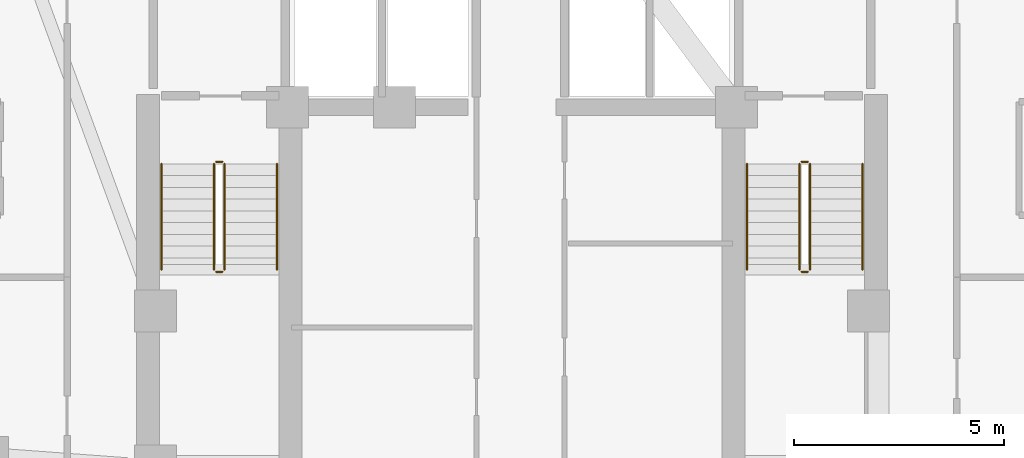
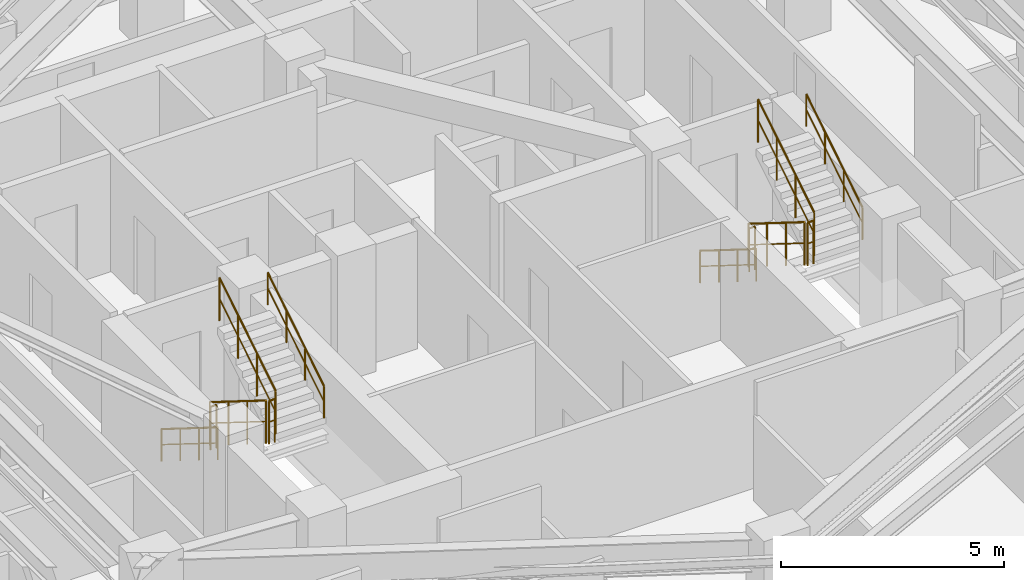
# One storey, part 11 of 11: 12 railings.
"""IFC4 building model written with IfcOpenShell, lengths in metres."""

from ifc_helpers import new_model, si_unit, direction, frame, origin, origin_2d, place, context, subcontext, project, spatial, circle, extrude, material, type_object, element, save


model = new_model("IFC4")

# Units and contexts
model_context = context("Model", 3, precision=1e-05, world=origin(), true_north=direction((0.0, 1.0)))
body_context = subcontext(model_context, "Body", "Model", "MODEL_VIEW")
ifc_project = project(units=[si_unit("LENGTHUNIT", "METRE"), si_unit("AREAUNIT", "SQUARE_METRE"), si_unit("VOLUMEUNIT", "CUBIC_METRE"), si_unit("PLANEANGLEUNIT", "RADIAN"), si_unit("MASSUNIT", "GRAM", prefix="KILO")], contexts=[model_context])

# Site, building, storey
site_placement = place(None, origin())
site = spatial("IfcSite", under=ifc_project, at=site_placement, CompositionType="ELEMENT")
building_placement = place(site_placement, origin())
building = spatial("IfcBuilding", under=site, at=building_placement, Name="Miruveldt Soraemaru", CompositionType="ELEMENT")
storey_placement = place(building_placement, frame((0.0, 0.0, 152.89990234375)))
storey = spatial("IfcBuildingStorey", under=building, at=storey_placement, Name="L42", CompositionType="ELEMENT", Elevation=152.89990234375)

# Railings
ifc_material = material(Name="Steel S355 (355 MPa)", Category="steel")
railing_type_1 = type_object("IfcRailingType", Name="RAIL-HR-900", PredefinedType="HANDRAIL", material=ifc_material)
railing_1_placement = place(storey_placement, frame((35.64990234375, 42.699951171875, 0.175048828125)))
element("IfcRailing", 1, at=railing_1_placement, inside=storey, type_object=railing_type_1, Name="L42 ST-1 stair handrail 1", PredefinedType="HANDRAIL", context=body_context, shape_type="SweptSolid", body=[
    extrude(circle(Radius=0.02392578125, at=origin_2d()), frame((0.0, 0.0, 0.8759765625), z_axis=(0.0, -0.848007534815, 0.529984170421), x_axis=(1.0, 0.0, 0.0)), (0.0, 0.0, 1.0), 2.9716796875),
    extrude(circle(Radius=0.01611328125, at=origin_2d()), frame((0.0, 0.0, 0.449951171875), z_axis=(0.0, -0.848007534815, 0.529984170421), x_axis=(1.0, 0.0, 0.0)), (0.0, 0.0, 1.0), 2.9716796875),
    extrude(circle(Radius=0.02099609375, at=origin_2d()), origin(), (0.0, 0.0, 1.0), 0.851806640625),
    extrude(circle(Radius=0.02099609375, at=origin_2d()), frame((0.0, -0.840087890625, 0.52490234375)), (0.0, 0.0, 1.0), 0.851806640625),
    extrude(circle(Radius=0.02099609375, at=origin_2d()), frame((0.0, -1.679931640625, 1.050048828125)), (0.0, 0.0, 1.0), 0.851806640625),
    extrude(circle(Radius=0.02099609375, at=origin_2d()), frame((0.0, -2.52001953125, 1.574951171875)), (0.0, 0.0, 1.0), 0.851806640625),
])
railing_2_placement = place(storey_placement, frame((38.39990234375, 40.179931640625, 1.925048828125)))
element("IfcRailing", 2, at=railing_2_placement, inside=storey, type_object=railing_type_1, Name="L42 ST-1 stair handrail 2", PredefinedType="HANDRAIL", context=body_context, shape_type="SweptSolid", body=[
    extrude(circle(Radius=0.02392578125, at=origin_2d()), frame((0.0, 0.0, 0.8759765625), z_axis=(0.0, 0.848007534815, 0.529984170421), x_axis=(-1.0, 0.0, 0.0)), (0.0, 0.0, 1.0), 2.9716796875),
    extrude(circle(Radius=0.01611328125, at=origin_2d()), frame((0.0, 0.0, 0.449951171875), z_axis=(0.0, 0.848007534815, 0.529984170421), x_axis=(-1.0, 0.0, 0.0)), (0.0, 0.0, 1.0), 2.9716796875),
    extrude(circle(Radius=0.02099609375, at=origin_2d()), origin(), (0.0, 0.0, 1.0), 0.851806640625),
    extrude(circle(Radius=0.02099609375, at=origin_2d()), frame((0.0, 0.840087890625, 0.52490234375)), (0.0, 0.0, 1.0), 0.851806640625),
    extrude(circle(Radius=0.02099609375, at=origin_2d()), frame((0.0, 1.679931640625, 1.050048828125)), (0.0, 0.0, 1.0), 0.851806640625),
    extrude(circle(Radius=0.02099609375, at=origin_2d()), frame((0.0, 2.52001953125, 1.574951171875)), (0.0, 0.0, 1.0), 0.851806640625),
])
railing_3_placement = place(storey_placement, frame((49.60009765625, 42.699951171875, 0.175048828125)))
element("IfcRailing", 3, at=railing_3_placement, inside=storey, type_object=railing_type_1, Name="L42 ST-2 stair handrail 1", PredefinedType="HANDRAIL", context=body_context, shape_type="SweptSolid", body=[
    extrude(circle(Radius=0.02392578125, at=origin_2d()), frame((0.0, 0.0, 0.8759765625), z_axis=(0.0, -0.848007534815, 0.529984170421), x_axis=(1.0, 0.0, 0.0)), (0.0, 0.0, 1.0), 2.9716796875),
    extrude(circle(Radius=0.01611328125, at=origin_2d()), frame((0.0, 0.0, 0.449951171875), z_axis=(0.0, -0.848007534815, 0.529984170421), x_axis=(1.0, 0.0, 0.0)), (0.0, 0.0, 1.0), 2.9716796875),
    extrude(circle(Radius=0.02099609375, at=origin_2d()), origin(), (0.0, 0.0, 1.0), 0.851806640625),
    extrude(circle(Radius=0.02099609375, at=origin_2d()), frame((0.0, -0.840087890625, 0.52490234375)), (0.0, 0.0, 1.0), 0.851806640625),
    extrude(circle(Radius=0.02099609375, at=origin_2d()), frame((0.0, -1.679931640625, 1.050048828125)), (0.0, 0.0, 1.0), 0.851806640625),
    extrude(circle(Radius=0.02099609375, at=origin_2d()), frame((0.0, -2.52001953125, 1.574951171875)), (0.0, 0.0, 1.0), 0.851806640625),
])
railing_4_placement = place(storey_placement, frame((52.35009765625, 40.179931640625, 1.925048828125)))
element("IfcRailing", 4, at=railing_4_placement, inside=storey, type_object=railing_type_1, Name="L42 ST-2 stair handrail 2", PredefinedType="HANDRAIL", context=body_context, shape_type="SweptSolid", body=[
    extrude(circle(Radius=0.02392578125, at=origin_2d()), frame((0.0, 0.0, 0.8759765625), z_axis=(0.0, 0.848007534815, 0.529984170421), x_axis=(-1.0, 0.0, 0.0)), (0.0, 0.0, 1.0), 2.9716796875),
    extrude(circle(Radius=0.01611328125, at=origin_2d()), frame((0.0, 0.0, 0.449951171875), z_axis=(0.0, 0.848007534815, 0.529984170421), x_axis=(-1.0, 0.0, 0.0)), (0.0, 0.0, 1.0), 2.9716796875),
    extrude(circle(Radius=0.02099609375, at=origin_2d()), origin(), (0.0, 0.0, 1.0), 0.851806640625),
    extrude(circle(Radius=0.02099609375, at=origin_2d()), frame((0.0, 0.840087890625, 0.52490234375)), (0.0, 0.0, 1.0), 0.851806640625),
    extrude(circle(Radius=0.02099609375, at=origin_2d()), frame((0.0, 1.679931640625, 1.050048828125)), (0.0, 0.0, 1.0), 0.851806640625),
    extrude(circle(Radius=0.02099609375, at=origin_2d()), frame((0.0, 2.52001953125, 1.574951171875)), (0.0, 0.0, 1.0), 0.851806640625),
])
railing_type_2 = type_object("IfcRailingType", Name="RAIL-STGUARD-1200", PredefinedType="GUARDRAIL", material=ifc_material)
railing_5_placement = place(storey_placement, frame((36.89990234375, 42.699951171875, 0.175048828125)))
element("IfcRailing", 5, at=railing_5_placement, inside=storey, type_object=railing_type_2, Name="L42 ST-1 stair guard 1", PredefinedType="GUARDRAIL", context=body_context, shape_type="SweptSolid", body=[
    extrude(circle(Radius=0.02392578125, at=origin_2d()), frame((0.0, 0.0, 1.17578125), z_axis=(0.0, -0.848007534815, 0.529984170421), x_axis=(1.0, 0.0, 0.0)), (0.0, 0.0, 1.0), 2.9716796875),
    extrude(circle(Radius=0.01611328125, at=origin_2d()), frame((0.0, 0.0, 0.60009765625), z_axis=(0.0, -0.848007534815, 0.529984170421), x_axis=(1.0, 0.0, 0.0)), (0.0, 0.0, 1.0), 2.9716796875),
    extrude(circle(Radius=0.02099609375, at=origin_2d()), origin(), (0.0, 0.0, 1.0), 1.15185546875),
    extrude(circle(Radius=0.02099609375, at=origin_2d()), frame((0.0, -0.840087890625, 0.52490234375)), (0.0, 0.0, 1.0), 1.15185546875),
    extrude(circle(Radius=0.02099609375, at=origin_2d()), frame((0.0, -1.679931640625, 1.050048828125)), (0.0, 0.0, 1.0), 1.15185546875),
    extrude(circle(Radius=0.02099609375, at=origin_2d()), frame((0.0, -2.52001953125, 1.574951171875)), (0.0, 0.0, 1.0), 1.15185546875),
])
railing_6_placement = place(storey_placement, frame((36.949951171875, 40.1298828125, 1.75)))
element("IfcRailing", 6, at=railing_6_placement, inside=storey, type_object=railing_type_2, Name="L42 ST-1 stair guard 2", PredefinedType="GUARDRAIL", context=body_context, shape_type="SweptSolid", body=[
    extrude(circle(Radius=0.02392578125, at=origin_2d()), frame((0.0, 0.0, 1.17578125), z_axis=(1.0, 0.0, 0.0), x_axis=(0.0, 1.0, 0.0)), (0.0, 0.0, 1.0), 0.150146484375),
    extrude(circle(Radius=0.01611328125, at=origin_2d()), frame((0.0, 0.0, 0.60009765625), z_axis=(1.0, 0.0, 0.0), x_axis=(0.0, 1.0, 0.0)), (0.0, 0.0, 1.0), 0.150146484375),
    extrude(circle(Radius=0.02099609375, at=origin_2d()), origin(), (0.0, 0.0, 1.0), 1.15185546875),
    extrude(circle(Radius=0.02099609375, at=origin_2d()), frame((0.150146484375, 0.0, 0.0)), (0.0, 0.0, 1.0), 1.15185546875),
])
railing_7_placement = place(storey_placement, frame((37.14990234375, 40.179931640625, 1.925048828125)))
element("IfcRailing", 7, at=railing_7_placement, inside=storey, type_object=railing_type_2, Name="L42 ST-1 stair guard 3", PredefinedType="GUARDRAIL", context=body_context, shape_type="SweptSolid", body=[
    extrude(circle(Radius=0.02392578125, at=origin_2d()), frame((0.0, 0.0, 1.17578125), z_axis=(0.0, 0.848007534815, 0.529984170421), x_axis=(-1.0, 0.0, 0.0)), (0.0, 0.0, 1.0), 2.9716796875),
    extrude(circle(Radius=0.01611328125, at=origin_2d()), frame((0.0, 0.0, 0.60009765625), z_axis=(0.0, 0.848007534815, 0.529984170421), x_axis=(-1.0, 0.0, 0.0)), (0.0, 0.0, 1.0), 2.9716796875),
    extrude(circle(Radius=0.02099609375, at=origin_2d()), origin(), (0.0, 0.0, 1.0), 1.15185546875),
    extrude(circle(Radius=0.02099609375, at=origin_2d()), frame((0.0, 0.840087890625, 0.52490234375)), (0.0, 0.0, 1.0), 1.15185546875),
    extrude(circle(Radius=0.02099609375, at=origin_2d()), frame((0.0, 1.679931640625, 1.050048828125)), (0.0, 0.0, 1.0), 1.15185546875),
    extrude(circle(Radius=0.02099609375, at=origin_2d()), frame((0.0, 2.52001953125, 1.574951171875)), (0.0, 0.0, 1.0), 1.15185546875),
])
railing_8_placement = place(storey_placement, frame((36.949951171875, 42.75, 0.0)))
element("IfcRailing", 8, at=railing_8_placement, inside=storey, type_object=railing_type_2, Name="L42 ST-1 stair guard 4", PredefinedType="GUARDRAIL", context=body_context, shape_type="SweptSolid", body=[
    extrude(circle(Radius=0.02392578125, at=origin_2d()), frame((0.0, 0.0, 1.17578125), z_axis=(1.0, 0.0, 0.0), x_axis=(0.0, 1.0, 0.0)), (0.0, 0.0, 1.0), 0.150146484375),
    extrude(circle(Radius=0.01611328125, at=origin_2d()), frame((0.0, 0.0, 0.60009765625), z_axis=(1.0, 0.0, 0.0), x_axis=(0.0, 1.0, 0.0)), (0.0, 0.0, 1.0), 0.150146484375),
    extrude(circle(Radius=0.02099609375, at=origin_2d()), origin(), (0.0, 0.0, 1.0), 1.15185546875),
    extrude(circle(Radius=0.02099609375, at=origin_2d()), frame((0.150146484375, 0.0, 0.0)), (0.0, 0.0, 1.0), 1.15185546875),
])
railing_9_placement = place(storey_placement, frame((50.85009765625, 42.699951171875, 0.175048828125)))
element("IfcRailing", 9, at=railing_9_placement, inside=storey, type_object=railing_type_2, Name="L42 ST-2 stair guard 1", PredefinedType="GUARDRAIL", context=body_context, shape_type="SweptSolid", body=[
    extrude(circle(Radius=0.02392578125, at=origin_2d()), frame((0.0, 0.0, 1.17578125), z_axis=(0.0, -0.848007534815, 0.529984170421), x_axis=(1.0, 0.0, 0.0)), (0.0, 0.0, 1.0), 2.9716796875),
    extrude(circle(Radius=0.01611328125, at=origin_2d()), frame((0.0, 0.0, 0.60009765625), z_axis=(0.0, -0.848007534815, 0.529984170421), x_axis=(1.0, 0.0, 0.0)), (0.0, 0.0, 1.0), 2.9716796875),
    extrude(circle(Radius=0.02099609375, at=origin_2d()), origin(), (0.0, 0.0, 1.0), 1.15185546875),
    extrude(circle(Radius=0.02099609375, at=origin_2d()), frame((0.0, -0.840087890625, 0.52490234375)), (0.0, 0.0, 1.0), 1.15185546875),
    extrude(circle(Radius=0.02099609375, at=origin_2d()), frame((0.0, -1.679931640625, 1.050048828125)), (0.0, 0.0, 1.0), 1.15185546875),
    extrude(circle(Radius=0.02099609375, at=origin_2d()), frame((0.0, -2.52001953125, 1.574951171875)), (0.0, 0.0, 1.0), 1.15185546875),
])
railing_10_placement = place(storey_placement, frame((50.89990234375, 40.1298828125, 1.75)))
element("IfcRailing", 10, at=railing_10_placement, inside=storey, type_object=railing_type_2, Name="L42 ST-2 stair guard 2", PredefinedType="GUARDRAIL", context=body_context, shape_type="SweptSolid", body=[
    extrude(circle(Radius=0.02392578125, at=origin_2d()), frame((0.0, 0.0, 1.17578125), z_axis=(1.0, 0.0, 0.0), x_axis=(0.0, 1.0, 0.0)), (0.0, 0.0, 1.0), 0.150146484375),
    extrude(circle(Radius=0.01611328125, at=origin_2d()), frame((0.0, 0.0, 0.60009765625), z_axis=(1.0, 0.0, 0.0), x_axis=(0.0, 1.0, 0.0)), (0.0, 0.0, 1.0), 0.150146484375),
    extrude(circle(Radius=0.02099609375, at=origin_2d()), origin(), (0.0, 0.0, 1.0), 1.15185546875),
    extrude(circle(Radius=0.02099609375, at=origin_2d()), frame((0.150146484375, 0.0, 0.0)), (0.0, 0.0, 1.0), 1.15185546875),
])
railing_11_placement = place(storey_placement, frame((51.10009765625, 40.179931640625, 1.925048828125)))
element("IfcRailing", 11, at=railing_11_placement, inside=storey, type_object=railing_type_2, Name="L42 ST-2 stair guard 3", PredefinedType="GUARDRAIL", context=body_context, shape_type="SweptSolid", body=[
    extrude(circle(Radius=0.02392578125, at=origin_2d()), frame((0.0, 0.0, 1.17578125), z_axis=(0.0, 0.848007534815, 0.529984170421), x_axis=(-1.0, 0.0, 0.0)), (0.0, 0.0, 1.0), 2.9716796875),
    extrude(circle(Radius=0.01611328125, at=origin_2d()), frame((0.0, 0.0, 0.60009765625), z_axis=(0.0, 0.848007534815, 0.529984170421), x_axis=(-1.0, 0.0, 0.0)), (0.0, 0.0, 1.0), 2.9716796875),
    extrude(circle(Radius=0.02099609375, at=origin_2d()), origin(), (0.0, 0.0, 1.0), 1.15185546875),
    extrude(circle(Radius=0.02099609375, at=origin_2d()), frame((0.0, 0.840087890625, 0.52490234375)), (0.0, 0.0, 1.0), 1.15185546875),
    extrude(circle(Radius=0.02099609375, at=origin_2d()), frame((0.0, 1.679931640625, 1.050048828125)), (0.0, 0.0, 1.0), 1.15185546875),
    extrude(circle(Radius=0.02099609375, at=origin_2d()), frame((0.0, 2.52001953125, 1.574951171875)), (0.0, 0.0, 1.0), 1.15185546875),
])
railing_12_placement = place(storey_placement, frame((50.89990234375, 42.75, 0.0)))
element("IfcRailing", 12, at=railing_12_placement, inside=storey, type_object=railing_type_2, Name="L42 ST-2 stair guard 4", PredefinedType="GUARDRAIL", context=body_context, shape_type="SweptSolid", body=[
    extrude(circle(Radius=0.02392578125, at=origin_2d()), frame((0.0, 0.0, 1.17578125), z_axis=(1.0, 0.0, 0.0), x_axis=(0.0, 1.0, 0.0)), (0.0, 0.0, 1.0), 0.150146484375),
    extrude(circle(Radius=0.01611328125, at=origin_2d()), frame((0.0, 0.0, 0.60009765625), z_axis=(1.0, 0.0, 0.0), x_axis=(0.0, 1.0, 0.0)), (0.0, 0.0, 1.0), 0.150146484375),
    extrude(circle(Radius=0.02099609375, at=origin_2d()), origin(), (0.0, 0.0, 1.0), 1.15185546875),
    extrude(circle(Radius=0.02099609375, at=origin_2d()), frame((0.150146484375, 0.0, 0.0)), (0.0, 0.0, 1.0), 1.15185546875),
])

save(model, "model.ifc")
